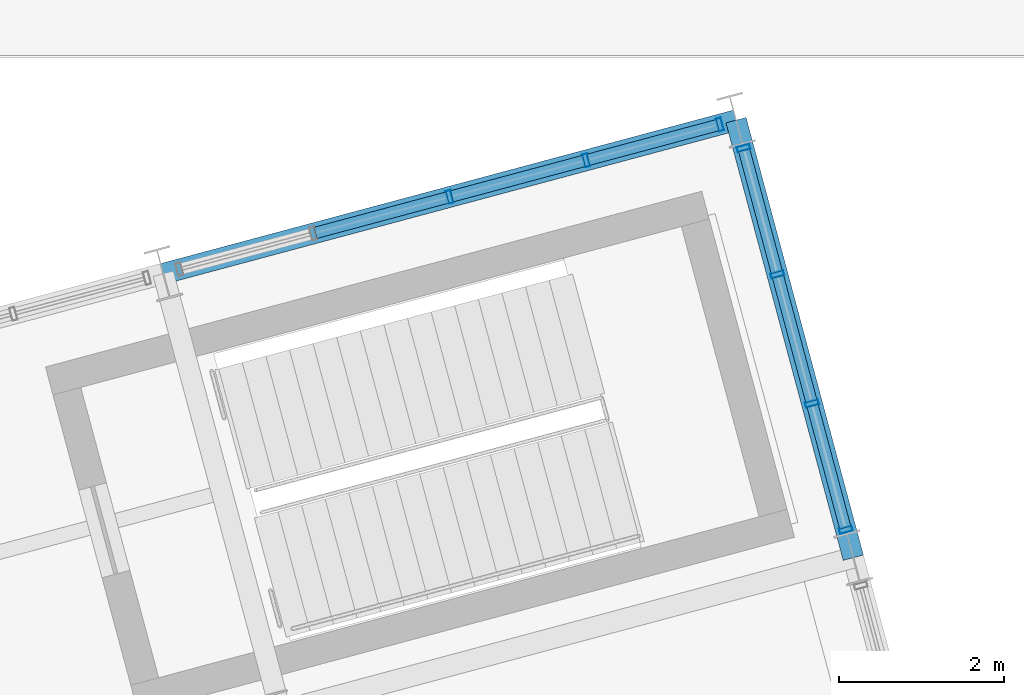
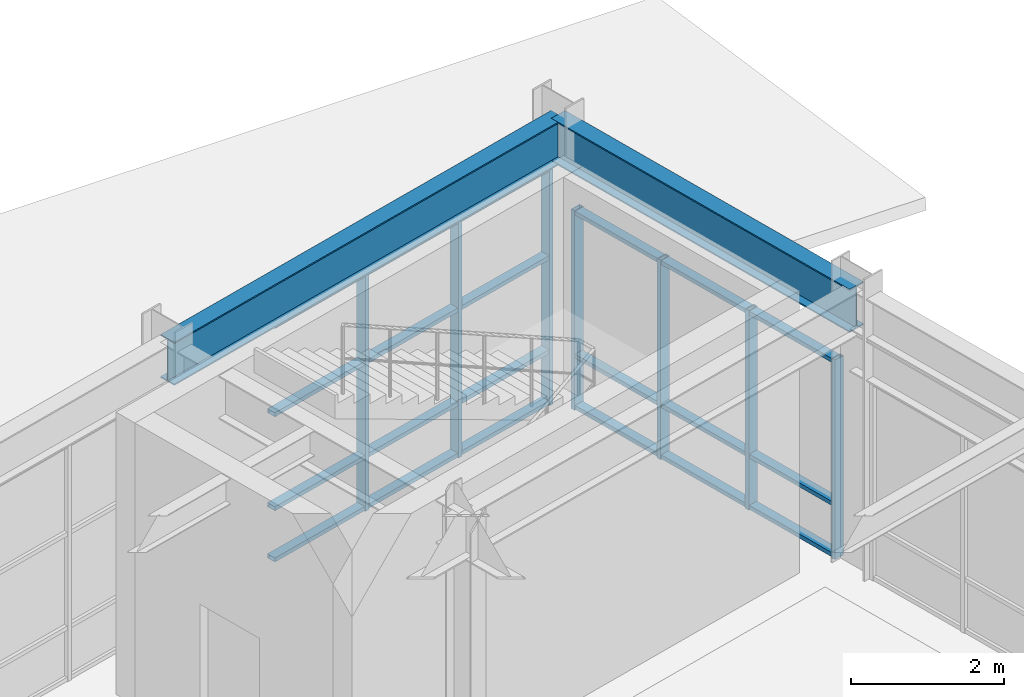
# One storey, part 57 of 104: 28 members, 2 beams, 2 elements without a shape of their own.
"""IFC4 building model written with IfcOpenShell, lengths in metres."""

from ifc_helpers import new_model, si_unit, direction, frame, origin, origin_2d, place, context, subcontext, project, spatial, hollow_rectangle, i_section, extrude, material, layer, layer_set, material_profile, profile_set, type_object, element, aggregate, save


model = new_model("IFC4")

# Units and contexts
model_context = context("Model", 3, precision=1e-05, world=origin(), true_north=direction((0.0, 1.0)))
body_context = subcontext(model_context, "Body", "Model", "MODEL_VIEW")
ifc_project = project(units=[si_unit("LENGTHUNIT", "METRE"), si_unit("AREAUNIT", "SQUARE_METRE"), si_unit("VOLUMEUNIT", "CUBIC_METRE"), si_unit("PLANEANGLEUNIT", "RADIAN"), si_unit("MASSUNIT", "GRAM", prefix="KILO")], contexts=[model_context])

# Site, building, storey
site_placement = place(None, origin())
site = spatial("IfcSite", under=ifc_project, at=site_placement, CompositionType="ELEMENT")
building_placement = place(site_placement, origin())
building = spatial("IfcBuilding", under=site, at=building_placement, Name="Ventoquebrada Cableway Terminal", CompositionType="ELEMENT")
storey_placement = place(building_placement, frame((0.0, 0.0, 4.800048828125)))
storey = spatial("IfcBuildingStorey", under=building, at=storey_placement, Name="L01", CompositionType="ELEMENT", Elevation=4.800048828125)

# Beams
ifc_material_1 = material(Name="Steel ASTM A992 Grade 50", Category="steel")
ifc_material_profile_1 = material_profile(ifc_material_1, i_section(OverallWidth=0.25390625, OverallDepth=0.68798828125, WebThickness=0.01318359375, FlangeThickness=0.02099609375, at=origin_2d()), Name="W27X102")
ifc_profile_set_1 = profile_set([ifc_material_profile_1], Name="Steel ASTM A992 Grade 50")
beam_type = type_object("IfcBeamType", Name="BM-ST04", PredefinedType="BEAM", material=ifc_profile_set_1)
beam_1_placement = place(storey_placement, frame((81.446044921875, 98.903076171875, 4.130859375), z_axis=(-0.258897298886, 0.965904854853, 0.0), x_axis=(-0.965904854853, -0.258897298886, 0.0)))
element("IfcBeam", 1, at=beam_1_placement, inside=storey, type_object=beam_type, Name="Splayed station girder FBM-1040", PredefinedType="BEAM", context=body_context, shape_type="SweptSolid", body=[
    extrude(i_section(OverallWidth=0.25390625, OverallDepth=0.68798828125, WebThickness=0.01318359375, FlangeThickness=0.02099609375, at=origin_2d()), origin(), (0.0, 0.0, 1.0), 5.50048828125),
])
beam_2_placement = place(storey_placement, frame((73.06689453125, 102.35205078125, 4.130859375), z_axis=(0.96591172503, 0.258871665986, 0.0), x_axis=(-0.258871665986, 0.96591172503, 0.0)))
element("IfcBeam", 2, at=beam_2_placement, inside=storey, type_object=beam_type, Name="Splayed station girder FBM-1065", PredefinedType="BEAM", context=body_context, shape_type="SweptSolid", body=[
    extrude(i_section(OverallWidth=0.25390625, OverallDepth=0.68798828125, WebThickness=0.01318359375, FlangeThickness=0.02099609375, at=origin_2d()), origin(), (0.0, 0.0, 1.0), 7.200439453125),
])

# Curtain wall, members
ifc_material_2 = material(Name="Anodized thermally-broken aluminium", Category="aluminium")
ifc_layer_1 = layer(ifc_material_2, 0.159912109375)
ifc_layer_set_1 = layer_set([ifc_layer_1], Name="Anodized thermally-broken aluminium")
curtain_wall_type_1 = type_object("IfcCurtainWallType", Name="CW-T36", PredefinedType="USERDEFINED", material=ifc_layer_set_1)
curtain_wall_1_placement = place(storey_placement, origin())
curtain_wall_1 = element("IfcCurtainWall", 3, at=curtain_wall_1_placement, inside=storey, type_object=curtain_wall_type_1, Name="Unitised glazed curtain wall CW-092", ObjectType="UNITISED CURTAIN WALL", PredefinedType="USERDEFINED")
ifc_material_profile_2 = material_profile(ifc_material_2, hollow_rectangle(XDim=0.06494140625, YDim=0.159912109375, WallThickness=0.00390625, at=origin_2d()), Name="CW-MUL-65X160")
ifc_profile_set_2 = profile_set([ifc_material_profile_2], Name="Anodized thermally-broken aluminium")
member_type_1 = type_object("IfcMemberType", Name="CWM-01", PredefinedType="MULLION", material=ifc_profile_set_2)
member_1_placement = place(storey_placement, frame((79.824951171875, 104.1630859375, -0.008056640625), z_axis=(0.0, 0.0, 1.0), x_axis=(-0.96593486019, -0.258785327773, 0.0)))
member_1 = element("IfcMember", 4, at=member_1_placement, type_object=member_type_1, Name="Curtain wall mullion FML-0449", PredefinedType="MULLION", context=body_context, shape_type="SweptSolid", body=[
    extrude(hollow_rectangle(XDim=0.06494140625, YDim=0.159912109375, WallThickness=0.00390625, at=origin_2d()), origin(), (0.0, 0.0, 1.0), 3.794921875),
])
member_2_placement = place(storey_placement, frame((78.201904296875, 103.72802734375, -0.008056640625), z_axis=(0.0, 0.0, 1.0), x_axis=(-0.96593486019, -0.258785327773, 0.0)))
member_2 = element("IfcMember", 5, at=member_2_placement, type_object=member_type_1, Name="Curtain wall mullion FML-0450", PredefinedType="MULLION", context=body_context, shape_type="SweptSolid", body=[
    extrude(hollow_rectangle(XDim=0.06494140625, YDim=0.159912109375, WallThickness=0.00390625, at=origin_2d()), origin(), (0.0, 0.0, 1.0), 3.794921875),
])
member_3_placement = place(storey_placement, frame((76.5439453125, 103.283935546875, -0.008056640625), z_axis=(0.0, 0.0, 1.0), x_axis=(-0.96593486019, -0.258785327773, 0.0)))
member_3 = element("IfcMember", 6, at=member_3_placement, type_object=member_type_1, Name="Curtain wall mullion FML-0451", PredefinedType="MULLION", context=body_context, shape_type="SweptSolid", body=[
    extrude(hollow_rectangle(XDim=0.06494140625, YDim=0.159912109375, WallThickness=0.00390625, at=origin_2d()), origin(), (0.0, 0.0, 1.0), 3.794921875),
])

ifc_layer_2 = layer(ifc_material_2, 0.159912109375)
ifc_layer_set_2 = layer_set([ifc_layer_2], Name="Anodized thermally-broken aluminium")
curtain_wall_type_2 = type_object("IfcCurtainWallType", Name="CW-T38", PredefinedType="USERDEFINED", material=ifc_layer_set_2)
curtain_wall_2_placement = place(storey_placement, origin())
curtain_wall_2 = element("IfcCurtainWall", 7, at=curtain_wall_2_placement, inside=storey, type_object=curtain_wall_type_2, Name="Unitised glazed curtain wall CW-100", ObjectType="UNITISED CURTAIN WALL", PredefinedType="USERDEFINED")
member_4_placement = place(storey_placement, frame((81.35498046875, 99.241943359375, -0.008056640625), z_axis=(0.0, 0.0, 1.0), x_axis=(-0.258785327773, 0.96593486019, 0.0)))
member_4 = element("IfcMember", 8, at=member_4_placement, type_object=member_type_1, Name="Curtain wall mullion FML-0486", PredefinedType="MULLION", context=body_context, shape_type="SweptSolid", body=[
    extrude(hollow_rectangle(XDim=0.06494140625, YDim=0.159912109375, WallThickness=0.00390625, at=origin_2d()), origin(), (0.0, 0.0, 1.0), 3.173095703125),
])
member_5_placement = place(storey_placement, frame((80.944091796875, 100.77587890625, -0.008056640625), z_axis=(0.0, 0.0, 1.0), x_axis=(-0.258785327773, 0.96593486019, 0.0)))
member_5 = element("IfcMember", 9, at=member_5_placement, type_object=member_type_1, Name="Curtain wall mullion FML-0487", PredefinedType="MULLION", context=body_context, shape_type="SweptSolid", body=[
    extrude(hollow_rectangle(XDim=0.06494140625, YDim=0.159912109375, WallThickness=0.00390625, at=origin_2d()), origin(), (0.0, 0.0, 1.0), 3.173095703125),
])
member_6_placement = place(storey_placement, frame((80.52392578125, 102.343017578125, -0.008056640625), z_axis=(0.0, 0.0, 1.0), x_axis=(-0.258785327773, 0.96593486019, 0.0)))
member_6 = element("IfcMember", 10, at=member_6_placement, type_object=member_type_1, Name="Curtain wall mullion FML-0488", PredefinedType="MULLION", context=body_context, shape_type="SweptSolid", body=[
    extrude(hollow_rectangle(XDim=0.06494140625, YDim=0.159912109375, WallThickness=0.00390625, at=origin_2d()), origin(), (0.0, 0.0, 1.0), 3.173095703125),
])
member_7_placement = place(storey_placement, frame((80.113037109375, 103.876953125, -0.008056640625), z_axis=(0.0, 0.0, 1.0), x_axis=(-0.258785327773, 0.96593486019, 0.0)))
member_7 = element("IfcMember", 11, at=member_7_placement, type_object=member_type_1, Name="Curtain wall mullion FML-0489", PredefinedType="MULLION", context=body_context, shape_type="SweptSolid", body=[
    extrude(hollow_rectangle(XDim=0.06494140625, YDim=0.159912109375, WallThickness=0.00390625, at=origin_2d()), origin(), (0.0, 0.0, 1.0), 3.173095703125),
])

# Member
ifc_material_profile_3 = material_profile(ifc_material_2, hollow_rectangle(XDim=0.06494140625, YDim=0.139892578125, WallThickness=0.00390625, at=origin_2d()), Name="CW-TRN-65X140")
ifc_profile_set_3 = profile_set([ifc_material_profile_3], Name="Anodized thermally-broken aluminium")
member_type_2 = type_object("IfcMemberType", Name="CWT-01", PredefinedType="USERDEFINED", material=ifc_profile_set_3)
member_8_placement = place(storey_placement, frame((79.799072265625, 104.156005859375, 0.034912109375), z_axis=(-0.965935321875, -0.258783604493, 0.0), x_axis=(0.0, 0.0, 1.0)))
member_8 = element("IfcMember", 12, at=member_8_placement, type_object=member_type_2, Name="Curtain wall transom FTR-1336", ObjectType="TRANSOM", PredefinedType="USERDEFINED", context=body_context, shape_type="SweptSolid", body=[
    extrude(hollow_rectangle(XDim=0.06494140625, YDim=0.139892578125, WallThickness=0.00390625, at=origin_2d()), origin(), (0.0, 0.0, 1.0), 1.62646484375),
])

member_9_placement = place(storey_placement, frame((79.799072265625, 104.156005859375, 0.849853515625), z_axis=(-0.965935321875, -0.258783604493, 0.0), x_axis=(0.0, 0.0, 1.0)))
member_9 = element("IfcMember", 13, at=member_9_placement, type_object=member_type_2, Name="Curtain wall transom FTR-1337", ObjectType="TRANSOM", PredefinedType="USERDEFINED", context=body_context, shape_type="SweptSolid", body=[
    extrude(hollow_rectangle(XDim=0.06494140625, YDim=0.139892578125, WallThickness=0.00390625, at=origin_2d()), origin(), (0.0, 0.0, 1.0), 1.62646484375),
])

member_10_placement = place(storey_placement, frame((79.799072265625, 104.156005859375, 2.344970703125), z_axis=(-0.965935321875, -0.258783604493, 0.0), x_axis=(0.0, 0.0, 1.0)))
member_10 = element("IfcMember", 14, at=member_10_placement, type_object=member_type_2, Name="Curtain wall transom FTR-1338", ObjectType="TRANSOM", PredefinedType="USERDEFINED", context=body_context, shape_type="SweptSolid", body=[
    extrude(hollow_rectangle(XDim=0.06494140625, YDim=0.139892578125, WallThickness=0.00390625, at=origin_2d()), origin(), (0.0, 0.0, 1.0), 1.62646484375),
])

member_11_placement = place(storey_placement, frame((79.799072265625, 104.156005859375, 3.7470703125), z_axis=(-0.965935321875, -0.258783604493, 0.0), x_axis=(0.0, 0.0, 1.0)))
member_11 = element("IfcMember", 15, at=member_11_placement, type_object=member_type_2, Name="Curtain wall transom FTR-1339", ObjectType="TRANSOM", PredefinedType="USERDEFINED", context=body_context, shape_type="SweptSolid", body=[
    extrude(hollow_rectangle(XDim=0.06494140625, YDim=0.139892578125, WallThickness=0.00390625, at=origin_2d()), origin(), (0.0, 0.0, 1.0), 1.62646484375),
])

member_12_placement = place(storey_placement, frame((78.175048828125, 103.720947265625, 0.034912109375), z_axis=(-0.965904733217, -0.258897752693, 0.0), x_axis=(0.0, 0.0, 1.0)))
member_12 = element("IfcMember", 16, at=member_12_placement, type_object=member_type_2, Name="Curtain wall transom FTR-1340", ObjectType="TRANSOM", PredefinedType="USERDEFINED", context=body_context, shape_type="SweptSolid", body=[
    extrude(hollow_rectangle(XDim=0.06494140625, YDim=0.139892578125, WallThickness=0.00390625, at=origin_2d()), origin(), (0.0, 0.0, 1.0), 1.66064453125),
])

member_13_placement = place(storey_placement, frame((78.175048828125, 103.720947265625, 0.849853515625), z_axis=(-0.965904733217, -0.258897752693, 0.0), x_axis=(0.0, 0.0, 1.0)))
member_13 = element("IfcMember", 17, at=member_13_placement, type_object=member_type_2, Name="Curtain wall transom FTR-1341", ObjectType="TRANSOM", PredefinedType="USERDEFINED", context=body_context, shape_type="SweptSolid", body=[
    extrude(hollow_rectangle(XDim=0.06494140625, YDim=0.139892578125, WallThickness=0.00390625, at=origin_2d()), origin(), (0.0, 0.0, 1.0), 1.66064453125),
])

member_14_placement = place(storey_placement, frame((78.175048828125, 103.720947265625, 2.344970703125), z_axis=(-0.965904733217, -0.258897752693, 0.0), x_axis=(0.0, 0.0, 1.0)))
member_14 = element("IfcMember", 18, at=member_14_placement, type_object=member_type_2, Name="Curtain wall transom FTR-1342", ObjectType="TRANSOM", PredefinedType="USERDEFINED", context=body_context, shape_type="SweptSolid", body=[
    extrude(hollow_rectangle(XDim=0.06494140625, YDim=0.139892578125, WallThickness=0.00390625, at=origin_2d()), origin(), (0.0, 0.0, 1.0), 1.66064453125),
])

member_15_placement = place(storey_placement, frame((78.175048828125, 103.720947265625, 3.7470703125), z_axis=(-0.965904733217, -0.258897752693, 0.0), x_axis=(0.0, 0.0, 1.0)))
member_15 = element("IfcMember", 19, at=member_15_placement, type_object=member_type_2, Name="Curtain wall transom FTR-1343", ObjectType="TRANSOM", PredefinedType="USERDEFINED", context=body_context, shape_type="SweptSolid", body=[
    extrude(hollow_rectangle(XDim=0.06494140625, YDim=0.139892578125, WallThickness=0.00390625, at=origin_2d()), origin(), (0.0, 0.0, 1.0), 1.66064453125),
])

member_16_placement = place(storey_placement, frame((76.51806640625, 103.277099609375, 0.034912109375), z_axis=(-0.965867960138, -0.259034908031, 0.0), x_axis=(0.0, 0.0, 1.0)))
member_16 = element("IfcMember", 20, at=member_16_placement, type_object=member_type_2, Name="Curtain wall transom FTR-1344", ObjectType="TRANSOM", PredefinedType="USERDEFINED", context=body_context, shape_type="SweptSolid", body=[
    extrude(hollow_rectangle(XDim=0.06494140625, YDim=0.139892578125, WallThickness=0.00390625, at=origin_2d()), origin(), (0.0, 0.0, 1.0), 1.66064453125),
])

member_17_placement = place(storey_placement, frame((76.51806640625, 103.277099609375, 0.849853515625), z_axis=(-0.965867960138, -0.259034908031, 0.0), x_axis=(0.0, 0.0, 1.0)))
member_17 = element("IfcMember", 21, at=member_17_placement, type_object=member_type_2, Name="Curtain wall transom FTR-1345", ObjectType="TRANSOM", PredefinedType="USERDEFINED", context=body_context, shape_type="SweptSolid", body=[
    extrude(hollow_rectangle(XDim=0.06494140625, YDim=0.139892578125, WallThickness=0.00390625, at=origin_2d()), origin(), (0.0, 0.0, 1.0), 1.66064453125),
])

member_18_placement = place(storey_placement, frame((76.51806640625, 103.277099609375, 2.344970703125), z_axis=(-0.965867960138, -0.259034908031, 0.0), x_axis=(0.0, 0.0, 1.0)))
member_18 = element("IfcMember", 22, at=member_18_placement, type_object=member_type_2, Name="Curtain wall transom FTR-1346", ObjectType="TRANSOM", PredefinedType="USERDEFINED", context=body_context, shape_type="SweptSolid", body=[
    extrude(hollow_rectangle(XDim=0.06494140625, YDim=0.139892578125, WallThickness=0.00390625, at=origin_2d()), origin(), (0.0, 0.0, 1.0), 1.66064453125),
])

member_19_placement = place(storey_placement, frame((76.51806640625, 103.277099609375, 3.7470703125), z_axis=(-0.965867960138, -0.259034908031, 0.0), x_axis=(0.0, 0.0, 1.0)))
member_19 = element("IfcMember", 23, at=member_19_placement, type_object=member_type_2, Name="Curtain wall transom FTR-1347", ObjectType="TRANSOM", PredefinedType="USERDEFINED", context=body_context, shape_type="SweptSolid", body=[
    extrude(hollow_rectangle(XDim=0.06494140625, YDim=0.139892578125, WallThickness=0.00390625, at=origin_2d()), origin(), (0.0, 0.0, 1.0), 1.66064453125),
])

aggregate(curtain_wall_1, [member_1, member_2, member_3, member_8, member_9, member_10, member_11, member_12, member_13, member_14, member_15, member_16, member_17, member_18, member_19])

member_20_placement = place(storey_placement, frame((81.347900390625, 99.26806640625, 0.034912109375), z_axis=(-0.258911184026, 0.965901133029, 0.0), x_axis=(0.0, 0.0, 1.0)))
member_20 = element("IfcMember", 24, at=member_20_placement, type_object=member_type_2, Name="Curtain wall transom FTR-1427", ObjectType="TRANSOM", PredefinedType="USERDEFINED", context=body_context, shape_type="SweptSolid", body=[
    extrude(hollow_rectangle(XDim=0.06494140625, YDim=0.139892578125, WallThickness=0.00390625, at=origin_2d()), origin(), (0.0, 0.0, 1.0), 1.533203125),
])

member_21_placement = place(storey_placement, frame((81.347900390625, 99.26806640625, 0.849853515625), z_axis=(-0.258911184026, 0.965901133029, 0.0), x_axis=(0.0, 0.0, 1.0)))
member_21 = element("IfcMember", 25, at=member_21_placement, type_object=member_type_2, Name="Curtain wall transom FTR-1428", ObjectType="TRANSOM", PredefinedType="USERDEFINED", context=body_context, shape_type="SweptSolid", body=[
    extrude(hollow_rectangle(XDim=0.06494140625, YDim=0.139892578125, WallThickness=0.00390625, at=origin_2d()), origin(), (0.0, 0.0, 1.0), 1.533203125),
])

member_22_placement = place(storey_placement, frame((81.347900390625, 99.26806640625, 3.125), z_axis=(-0.258911184026, 0.965901133029, 0.0), x_axis=(0.0, 0.0, 1.0)))
member_22 = element("IfcMember", 26, at=member_22_placement, type_object=member_type_2, Name="Curtain wall transom FTR-1429", ObjectType="TRANSOM", PredefinedType="USERDEFINED", context=body_context, shape_type="SweptSolid", body=[
    extrude(hollow_rectangle(XDim=0.06494140625, YDim=0.139892578125, WallThickness=0.00390625, at=origin_2d()), origin(), (0.0, 0.0, 1.0), 1.533203125),
])

member_23_placement = place(storey_placement, frame((80.93701171875, 100.802001953125, 0.034912109375), z_axis=(-0.258873547184, 0.965911220852, 0.0), x_axis=(0.0, 0.0, 1.0)))
member_23 = element("IfcMember", 27, at=member_23_placement, type_object=member_type_2, Name="Curtain wall transom FTR-1430", ObjectType="TRANSOM", PredefinedType="USERDEFINED", context=body_context, shape_type="SweptSolid", body=[
    extrude(hollow_rectangle(XDim=0.06494140625, YDim=0.139892578125, WallThickness=0.00390625, at=origin_2d()), origin(), (0.0, 0.0, 1.0), 1.568359375),
])

member_24_placement = place(storey_placement, frame((80.93701171875, 100.802001953125, 0.849853515625), z_axis=(-0.258873547184, 0.965911220852, 0.0), x_axis=(0.0, 0.0, 1.0)))
member_24 = element("IfcMember", 28, at=member_24_placement, type_object=member_type_2, Name="Curtain wall transom FTR-1431", ObjectType="TRANSOM", PredefinedType="USERDEFINED", context=body_context, shape_type="SweptSolid", body=[
    extrude(hollow_rectangle(XDim=0.06494140625, YDim=0.139892578125, WallThickness=0.00390625, at=origin_2d()), origin(), (0.0, 0.0, 1.0), 1.568359375),
])

member_25_placement = place(storey_placement, frame((80.93701171875, 100.802001953125, 3.125), z_axis=(-0.258873547184, 0.965911220852, 0.0), x_axis=(0.0, 0.0, 1.0)))
member_25 = element("IfcMember", 29, at=member_25_placement, type_object=member_type_2, Name="Curtain wall transom FTR-1432", ObjectType="TRANSOM", PredefinedType="USERDEFINED", context=body_context, shape_type="SweptSolid", body=[
    extrude(hollow_rectangle(XDim=0.06494140625, YDim=0.139892578125, WallThickness=0.00390625, at=origin_2d()), origin(), (0.0, 0.0, 1.0), 1.568359375),
])

member_26_placement = place(storey_placement, frame((80.51708984375, 102.3701171875, 0.034912109375), z_axis=(-0.258911184026, 0.965901133029, 0.0), x_axis=(0.0, 0.0, 1.0)))
member_26 = element("IfcMember", 30, at=member_26_placement, type_object=member_type_2, Name="Curtain wall transom FTR-1433", ObjectType="TRANSOM", PredefinedType="USERDEFINED", context=body_context, shape_type="SweptSolid", body=[
    extrude(hollow_rectangle(XDim=0.06494140625, YDim=0.139892578125, WallThickness=0.00390625, at=origin_2d()), origin(), (0.0, 0.0, 1.0), 1.533203125),
])

member_27_placement = place(storey_placement, frame((80.51708984375, 102.3701171875, 0.849853515625), z_axis=(-0.258911184026, 0.965901133029, 0.0), x_axis=(0.0, 0.0, 1.0)))
member_27 = element("IfcMember", 31, at=member_27_placement, type_object=member_type_2, Name="Curtain wall transom FTR-1434", ObjectType="TRANSOM", PredefinedType="USERDEFINED", context=body_context, shape_type="SweptSolid", body=[
    extrude(hollow_rectangle(XDim=0.06494140625, YDim=0.139892578125, WallThickness=0.00390625, at=origin_2d()), origin(), (0.0, 0.0, 1.0), 1.533203125),
])

member_28_placement = place(storey_placement, frame((80.51708984375, 102.3701171875, 3.125), z_axis=(-0.258911184026, 0.965901133029, 0.0), x_axis=(0.0, 0.0, 1.0)))
member_28 = element("IfcMember", 32, at=member_28_placement, type_object=member_type_2, Name="Curtain wall transom FTR-1435", ObjectType="TRANSOM", PredefinedType="USERDEFINED", context=body_context, shape_type="SweptSolid", body=[
    extrude(hollow_rectangle(XDim=0.06494140625, YDim=0.139892578125, WallThickness=0.00390625, at=origin_2d()), origin(), (0.0, 0.0, 1.0), 1.533203125),
])

aggregate(curtain_wall_2, [member_4, member_5, member_6, member_7, member_20, member_21, member_22, member_23, member_24, member_25, member_26, member_27, member_28])

save(model, "model.ifc")
